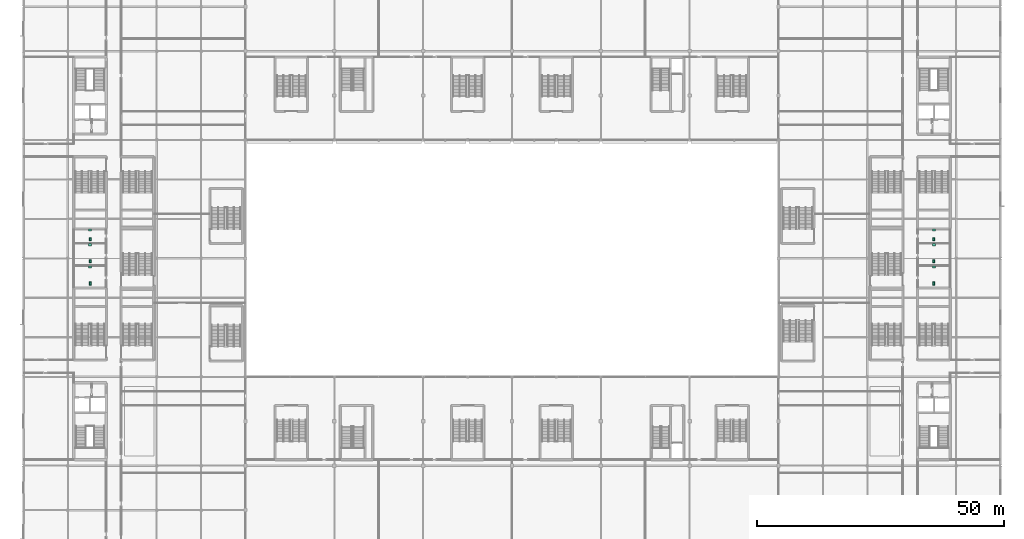
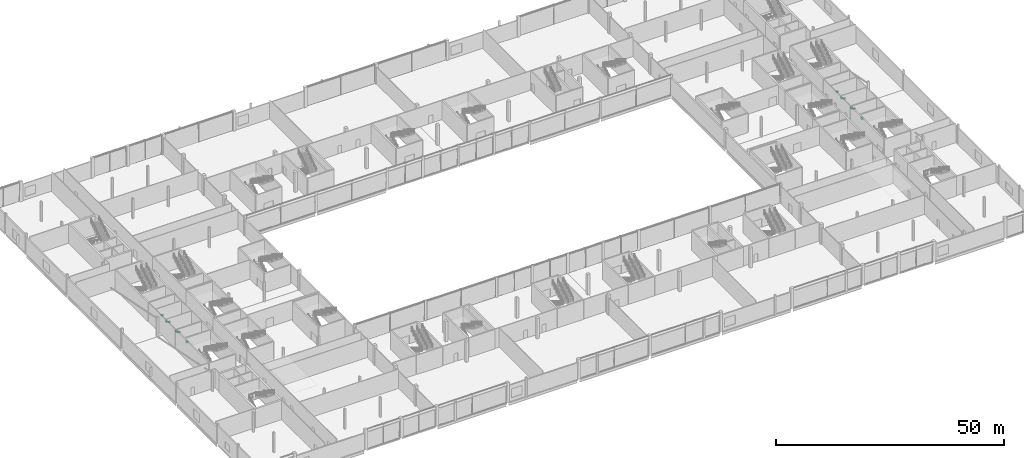
# One storey, part 111 of 111: 12 sanitary terminals.
"""IFC4 building model written with IfcOpenShell, lengths in metres."""

import ifcopenshell
import ifcopenshell.guid

model = None  # the IFC model being written
_history = None  # IfcOwnerHistory: only IFC2X3 demands one
_inside = {}  # id of a spatial element -> (the spatial element, [elements in it])
_under = {}  # id of a project, library or spatial element -> (it, [spatial elements below it])
_declared = {}  # id of a project -> (the project, [libraries it declares])
_typed = {}  # id of a type object -> (the type object, [elements of that type])
_made_of = {}  # id of a material, layer set ... -> (it, [elements and type objects made of it])


def new_model(schema):
    """Start an empty IFC model of exactly this schema.

    Asked for "IFC4X3", IfcOpenShell would pick the latest addendum, in which some entities
    have other attributes; the version numbers below select the first issue.
    IFC2X3 requires an IfcOwnerHistory on every rooted entity: one is made here for all.
    """
    global model, _history
    if schema == "IFC4X3":
        model = ifcopenshell.file(schema_version=(4, 3, 0, 0))
    else:
        model = ifcopenshell.file(schema=schema)
    _inside.clear()
    _under.clear()
    _declared.clear()
    _typed.clear()
    _made_of.clear()
    _history = None
    if model.schema == "IFC2X3":
        org = make("IfcOrganization", Name="unknown")
        user = make(
            "IfcPersonAndOrganization",
            ThePerson=make("IfcPerson", FamilyName="unknown"),
            TheOrganization=org,
        )
        app = make(
            "IfcApplication",
            ApplicationDeveloper=org,
            Version="unknown",
            ApplicationFullName="unknown",
            ApplicationIdentifier="unknown",
        )
        _history = make(
            "IfcOwnerHistory",
            OwningUser=user,
            OwningApplication=app,
            ChangeAction="ADDED",
            CreationDate=0,
        )
    return model


def make(cls, **values):
    """One entity of the class cls with the attributes given. An attribute that is None is left unset."""
    return model.create_entity(
        cls, **{name: value for name, value in values.items() if value is not None}
    )


def rooted(cls, **values):
    """An entity with a GlobalId (a new one), such as an element, a storey or a relation."""
    return make(cls, GlobalId=ifcopenshell.guid.new(), OwnerHistory=_history, **values)


def si_unit(unit_type, name, prefix=None):
    """IfcSIUnit, for example si_unit("LENGTHUNIT", "METRE", prefix="MILLI")."""
    return make("IfcSIUnit", UnitType=unit_type, Prefix=prefix, Name=name)


def assignment(units):
    """IfcUnitAssignment: the units of a project."""
    return None if units is None else make("IfcUnitAssignment", Units=units)


def point(xyz):
    """IfcCartesianPoint."""
    return None if xyz is None else make("IfcCartesianPoint", Coordinates=xyz)


def direction(xyz):
    """IfcDirection."""
    return None if xyz is None else make("IfcDirection", DirectionRatios=xyz)


def frame(location, z_axis=None, x_axis=None):
    """IfcAxis2Placement3D, a coordinate frame: its origin and axes. An axis left out is left unset."""
    return make(
        "IfcAxis2Placement3D",
        Location=point(location),
        Axis=direction(z_axis),
        RefDirection=direction(x_axis),
    )


def frame_2d(location, x_axis=None):
    """IfcAxis2Placement2D, a coordinate frame in the plane: its origin and x axis."""
    return make(
        "IfcAxis2Placement2D", Location=point(location), RefDirection=direction(x_axis)
    )


def origin():
    """The frame at (0, 0, 0) with its axes left unset."""
    return frame((0.0, 0.0, 0.0))


def origin_2d():
    """The frame at (0, 0) in the plane with its x axis left unset."""
    return frame_2d((0.0, 0.0))


def place(relative_to, where):
    """IfcLocalPlacement: puts the frame where relative to a parent placement (None: the world)."""
    return make(
        "IfcLocalPlacement", PlacementRelTo=relative_to, RelativePlacement=where
    )


def context(
    kind, dimensions, precision=None, world=None, true_north=None, identifier=None
):
    """IfcGeometricRepresentationContext, for example the 3D "Model" context."""
    return make(
        "IfcGeometricRepresentationContext",
        ContextIdentifier=identifier,
        ContextType=kind,
        CoordinateSpaceDimension=dimensions,
        Precision=precision,
        WorldCoordinateSystem=world,
        TrueNorth=true_north,
    )


def subcontext(parent, identifier, kind, view, scale=None):
    """IfcGeometricRepresentationSubContext, for example "Body" below "Model"."""
    return make(
        "IfcGeometricRepresentationSubContext",
        ContextIdentifier=identifier,
        ContextType=kind,
        ParentContext=parent,
        TargetScale=scale,
        TargetView=view,
    )


def project(units=None, contexts=None):
    """IfcProject with its units and contexts."""
    return rooted(
        "IfcProject",
        Name="project",
        RepresentationContexts=contexts,
        UnitsInContext=assignment(units),
    )


def spatial(cls, under=None, at=None, **own):
    """A site, building, storey or space (cls), placed at a placement, below another one or the project."""
    s = rooted(cls, ObjectPlacement=at, **own)
    if under is not None:
        _under.setdefault(under.id(), (under, []))[1].append(s)
    return s


def profile(cls, at=None, kind="AREA", **sizes):
    """A parametric profile (cls). Its sizes go by their IFC names, for example OverallWidth=200.0."""
    return make(cls, ProfileType=kind, Position=at, **sizes)


def rectangle(**sizes):
    """IfcRectangleProfileDef."""
    return profile("IfcRectangleProfileDef", **sizes)


def extrude(swept, where, along, depth):
    """IfcExtrudedAreaSolid: the profile swept, set in the frame where, extruded along a direction by depth."""
    return make(
        "IfcExtrudedAreaSolid",
        SweptArea=swept,
        Position=where,
        ExtrudedDirection=direction(along),
        Depth=depth,
    )


def shape(context_of_items, identifier, shape_type, items):
    """IfcShapeRepresentation: the items that make up one representation, for example the "Body"."""
    return make(
        "IfcShapeRepresentation",
        ContextOfItems=context_of_items,
        RepresentationIdentifier=identifier,
        RepresentationType=shape_type,
        Items=items,
    )


def material(Name=None, Category=None):
    """IfcMaterial."""
    return make("IfcMaterial", Name=Name, Category=Category)


def made_of(thing, what):
    """Note that an element or type object is made of a material, layer set ...; save() writes the relation."""
    if what is not None:
        _made_of.setdefault(what.id(), (what, []))[1].append(thing)
    return thing


def type_object(cls, material=None, **own):
    """A type object (cls), such as IfcWallType, which elements share."""
    return made_of(rooted(cls, **own), material)


def element(
    cls,
    number,
    at=None,
    inside=None,
    cuts=None,
    type_object=None,
    material=None,
    context=None,
    identifier="Body",
    shape_type=None,
    held_by="IfcProductDefinitionShape",
    body=None,
    shapes=None,
    **own,
):
    """One element of the class cls, such as IfcWall. Its Tag is "e" and its number.

    at: its placement. inside: the storey or other place that contains it. cuts: it is an
    opening in that element (IfcRelVoidsElement). A single representation is given by context,
    identifier, shape_type and body (its items); several are given by shapes. held_by: the class
    of the entity that holds the representations. save() writes the other relations.
    """
    e = rooted(cls, Tag="e%d" % number, ObjectPlacement=at, **own)
    if body is not None:
        shapes = [shape(context, identifier, shape_type, body)]
    if shapes is not None:
        e.Representation = make(held_by, Representations=shapes)
    if inside is not None:
        _inside.setdefault(inside.id(), (inside, []))[1].append(e)
    if cuts is not None:
        rooted(
            "IfcRelVoidsElement", RelatingBuildingElement=cuts, RelatedOpeningElement=e
        )
    if type_object is not None:
        _typed.setdefault(type_object.id(), (type_object, []))[1].append(e)
    return made_of(e, material)


def aggregate(whole, parts):
    """IfcRelAggregates: a whole, such as a stair, and the parts it consists of."""
    return rooted("IfcRelAggregates", RelatingObject=whole, RelatedObjects=parts)


def save(model, path):
    """Write the relations noted so far, then the file.

    IfcRelAggregates (storeys below a building ...), IfcRelContainedInSpatialStructure (elements
    in a storey), IfcRelDefinesByType, IfcRelAssociatesMaterial and IfcRelDeclares: one each for
    every whole, place, type object, material and project.
    """
    for whole, parts in _under.values():
        aggregate(whole, parts)
    for where, things in _inside.values():
        rooted(
            "IfcRelContainedInSpatialStructure",
            RelatedElements=things,
            RelatingStructure=where,
        )
    for kind, things in _typed.values():
        rooted("IfcRelDefinesByType", RelatedObjects=things, RelatingType=kind)
    for what, things in _made_of.values():
        rooted("IfcRelAssociatesMaterial", RelatedObjects=things, RelatingMaterial=what)
    for by, libraries in _declared.values():
        rooted("IfcRelDeclares", RelatingContext=by, RelatedDefinitions=libraries)
    model.write(path)


model = new_model("IFC4")

# Units and contexts
model_context = context("Model", 3, precision=1e-05, world=origin(), true_north=direction((0.0, 1.0)))
body_context = subcontext(model_context, "Body", "Model", "MODEL_VIEW")
ifc_project = project(units=[si_unit("LENGTHUNIT", "METRE"), si_unit("AREAUNIT", "SQUARE_METRE"), si_unit("VOLUMEUNIT", "CUBIC_METRE"), si_unit("PLANEANGLEUNIT", "RADIAN"), si_unit("MASSUNIT", "GRAM", prefix="KILO")], contexts=[model_context])

# Site, building, storey
site_placement = place(None, origin())
site = spatial("IfcSite", under=ifc_project, at=site_placement, CompositionType="ELEMENT")
building_placement = place(site_placement, origin())
building = spatial("IfcBuilding", under=site, at=building_placement, Name="Kisiwana Market Hall", CompositionType="ELEMENT")
storey_placement = place(building_placement, frame((0.0, 0.0, 11.39990234375)))
storey = spatial("IfcBuildingStorey", under=building, at=storey_placement, Name="L02", CompositionType="ELEMENT", Elevation=11.39990234375)

# Sanitary terminals
ifc_material_1 = material(Name="Vitreous china")
sanitary_terminal_type_1 = type_object("IfcSanitaryTerminalType", Name="SAN-BASIN", PredefinedType="WASHHANDBASIN", material=ifc_material_1)
for number, where, z_axis, x_axis, name in (
    (1, (13.5, 58.25, 0.68017578125), (0.0, 0.0, 1.0), (1.0, 0.0, 0.0), "Washhand basin L02-0019"),
    (2, (13.5, 62.75, 0.68017578125), (0.0, 0.0, 1.0), (1.0, 0.0, 0.0), "Washhand basin L02-0020"),
    (3, (13.5, 65.75, 0.68017578125), (0.0, 0.0, 1.0), (1.0, 0.0, 0.0), "Washhand basin L02-0021"),
    (4, (184.5, 58.25, 0.68017578125), (0.0, 0.0, 1.0), (1.0, 0.0, 0.0), "Washhand basin L02-0022"),
    (5, (184.5, 62.75, 0.68017578125), (0.0, 0.0, 1.0), (1.0, 0.0, 0.0), "Washhand basin L02-0023"),
    (6, (184.5, 65.75, 0.68017578125), (0.0, 0.0, 1.0), (1.0, 0.0, 0.0), "Washhand basin L02-0024"),
):
    element("IfcSanitaryTerminal", number, at=place(storey_placement, frame(where, z_axis=z_axis, x_axis=x_axis)), inside=storey, type_object=sanitary_terminal_type_1, Name=name, PredefinedType="WASHHANDBASIN", context=body_context, shape_type="SweptSolid", body=[
        extrude(rectangle(XDim=0.550048828125, YDim=0.449951171875, at=origin_2d()), origin(), (0.0, 0.0, 1.0), 0.199951171875),
    ])
ifc_material_2 = material(Name="Vitreous china")
sanitary_terminal_type_2 = type_object("IfcSanitaryTerminalType", Name="SAN-WC-PAN", PredefinedType="TOILETPAN", material=ifc_material_2)
for number, where, z_axis, x_axis, name in (
    (7, (13.5, 54.89990234375, 0.000244140625), (0.0, 0.0, 1.0), (1.0, 0.0, 0.0), "WC pan L02-0019"),
    (8, (13.5, 59.39990234375, 0.000244140625), (0.0, 0.0, 1.0), (1.0, 0.0, 0.0), "WC pan L02-0020"),
    (9, (13.5, 63.89990234375, 0.000244140625), (0.0, 0.0, 1.0), (1.0, 0.0, 0.0), "WC pan L02-0021"),
    (10, (184.5, 54.89990234375, 0.000244140625), (0.0, 0.0, 1.0), (1.0, 0.0, 0.0), "WC pan L02-0022"),
    (11, (184.5, 59.39990234375, 0.000244140625), (0.0, 0.0, 1.0), (1.0, 0.0, 0.0), "WC pan L02-0023"),
    (12, (184.5, 63.89990234375, 0.000244140625), (0.0, 0.0, 1.0), (1.0, 0.0, 0.0), "WC pan L02-0024"),
):
    element("IfcSanitaryTerminal", number, at=place(storey_placement, frame(where, z_axis=z_axis, x_axis=x_axis)), inside=storey, type_object=sanitary_terminal_type_2, Name=name, PredefinedType="TOILETPAN", context=body_context, shape_type="SweptSolid", body=[
        extrude(rectangle(XDim=0.39990234375, YDim=0.64990234375, at=origin_2d()), origin(), (0.0, 0.0, 1.0), 0.419921875),
    ])

save(model, "model.ifc")
